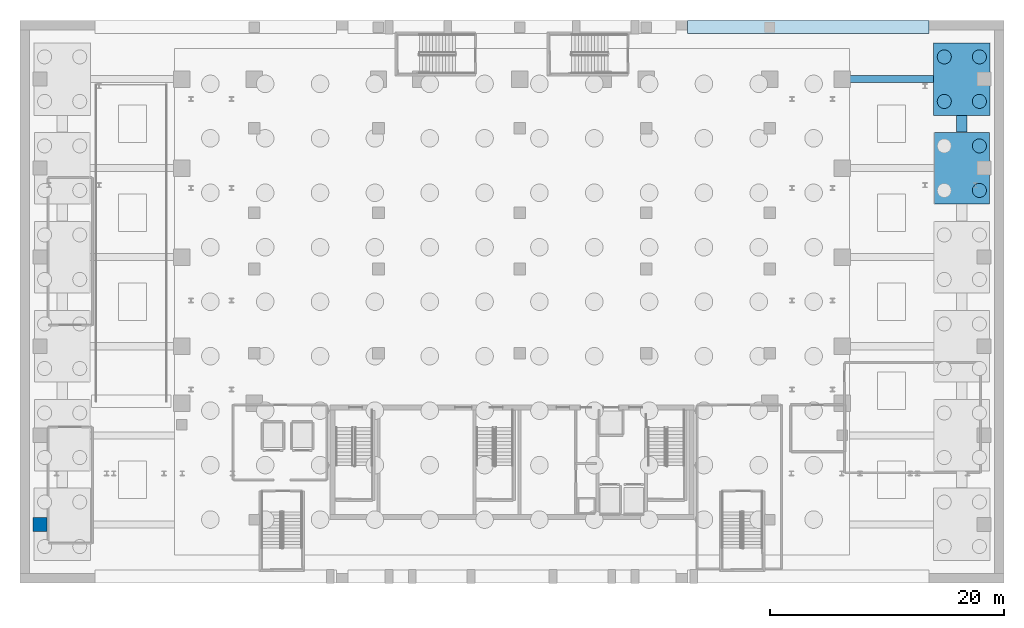
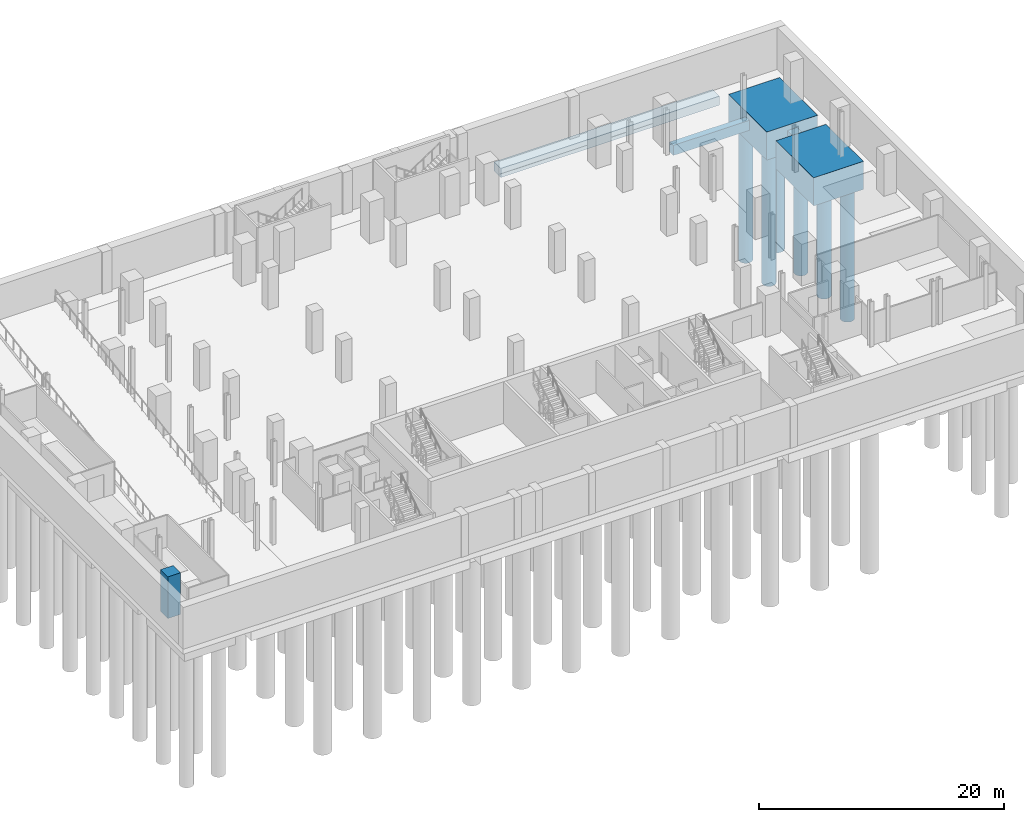
# One storey, part 2 of 18: 6 piles, 5 footings, 1 column.
"""IFC4 building model written with IfcOpenShell, lengths in metres."""

from ifc_helpers import new_model, si_unit, direction, frame, origin, origin_2d, place, context, subcontext, project, spatial, rectangle, circle, extrude, material, material_profile, profile_set, type_object, element, save


model = new_model("IFC4")

# Units and contexts
model_context = context("Model", 3, precision=1e-05, world=origin(), true_north=direction((0.0, 1.0)))
body_context = subcontext(model_context, "Body", "Model", "MODEL_VIEW")
ifc_project = project(units=[si_unit("LENGTHUNIT", "METRE"), si_unit("AREAUNIT", "SQUARE_METRE"), si_unit("VOLUMEUNIT", "CUBIC_METRE"), si_unit("PLANEANGLEUNIT", "RADIAN"), si_unit("MASSUNIT", "GRAM", prefix="KILO")], contexts=[model_context])

# Site, building, storey
site_placement = place(None, origin())
site = spatial("IfcSite", under=ifc_project, at=site_placement, CompositionType="ELEMENT")
building_placement = place(site_placement, origin())
building = spatial("IfcBuilding", under=site, at=building_placement, Name="Ndaravel Arena Tower", CompositionType="ELEMENT")
storey_placement = place(building_placement, frame((0.0, 0.0, -9.0)))
storey = spatial("IfcBuildingStorey", under=building, at=storey_placement, Name="B02", CompositionType="ELEMENT", Elevation=-9.0)

# Footings
ifc_material_1 = material(Name="Concrete C40/50", Category="concrete")
ifc_material_profile_1 = material_profile(ifc_material_1, rectangle(XDim=0.89990234375, YDim=1.199951171875, at=origin_2d()), Name="RC 900x1200")
ifc_profile_set_1 = profile_set([ifc_material_profile_1], Name="Concrete C40/50")
footing_type_1 = type_object("IfcFootingType", Name="FTG-GB1", PredefinedType="FOOTING_BEAM", material=ifc_profile_set_1)
footing_1_placement = place(storey_placement, frame((80.39990234375, 38.469970703125, -1.1201171875), z_axis=(0.0, 1.0, 0.0), x_axis=(-1.0, 0.0, 0.0)))
element("IfcFooting", 1, at=footing_1_placement, inside=storey, type_object=footing_type_1, Name="Ground Tie Beam 16", PredefinedType="FOOTING_BEAM", context=body_context, shape_type="SweptSolid", body=[
    extrude(rectangle(XDim=0.89990234375, YDim=1.199951171875, at=origin_2d()), origin(), (0.0, 0.0, 1.0), 1.409912109375),
])
ifc_material_2 = material(Name="Concrete C40/50", Category="concrete")
ifc_material_profile_2 = material_profile(ifc_material_2, rectangle(XDim=0.60009765625, YDim=1.0, at=origin_2d()), Name="RC 600x1000")
ifc_profile_set_2 = profile_set([ifc_material_profile_2], Name="Concrete C40/50")
footing_type_2 = type_object("IfcFootingType", Name="FTG-GB2", PredefinedType="FOOTING_BEAM", material=ifc_profile_set_2)
footing_2_placement = place(storey_placement, frame((70.820068359375, 43.0, -1.02001953125), z_axis=(1.0, 0.0, 0.0), x_axis=(0.0, 1.0, 0.0)))
element("IfcFooting", 2, at=footing_2_placement, inside=storey, type_object=footing_type_2, Name="Ground Tie Beam 22", PredefinedType="FOOTING_BEAM", context=body_context, shape_type="SweptSolid", body=[
    extrude(rectangle(XDim=0.60009765625, YDim=1.0, at=origin_2d()), origin(), (0.0, 0.0, 1.0), 7.159912109375),
])
ifc_material_3 = material(Name="Concrete C40/50", Category="concrete")
footing_type_3 = type_object("IfcFootingType", Name="FTG-PC1", PredefinedType="PILE_CAP", material=ifc_material_3)
footing_3_placement = place(storey_placement, frame((80.39990234375, 43.0, -2.7998046875), z_axis=(0.0, 0.0, 1.0), x_axis=(1.0, 0.0, 0.0)))
element("IfcFooting", 3, at=footing_3_placement, inside=storey, type_object=footing_type_3, Name="Pile Cap PCAP-E06", PredefinedType="PILE_CAP", context=body_context, shape_type="SweptSolid", body=[
    extrude(rectangle(XDim=4.800048828125, YDim=6.199951171875, at=origin_2d()), origin(), (0.0, 0.0, 1.0), 2.800048828125),
])
ifc_material_4 = material(Name="Concrete C40/50", Category="concrete")
footing_type_4 = type_object("IfcFootingType", Name="FTG-PC2", PredefinedType="PILE_CAP", material=ifc_material_4)
footing_4_placement = place(storey_placement, frame((80.39990234375, 35.39990234375, -2.7998046875), z_axis=(0.0, 0.0, 1.0), x_axis=(1.0, 0.0, 0.0)))
element("IfcFooting", 4, at=footing_4_placement, inside=storey, type_object=footing_type_4, Name="Pile Cap PCAP-E05", PredefinedType="PILE_CAP", context=body_context, shape_type="SweptSolid", body=[
    extrude(rectangle(XDim=4.699951171875, YDim=6.10009765625, at=origin_2d()), origin(), (0.0, 0.0, 1.0), 2.800048828125),
])
ifc_material_5 = material(Name="Concrete C40/50", Category="concrete")
ifc_material_profile_3 = material_profile(ifc_material_5, rectangle(XDim=1.10009765625, YDim=0.89990234375, at=origin_2d()), Name="RC 1100x900")
ifc_profile_set_3 = profile_set([ifc_material_profile_3], Name="Concrete C40/50")
footing_type_5 = type_object("IfcFootingType", Name="FTG-SF1", PredefinedType="STRIP_FOOTING", material=ifc_profile_set_3)
footing_5_placement = place(storey_placement, frame((57.0, 47.449951171875, -0.969970703125), z_axis=(1.0, 0.0, 0.0), x_axis=(0.0, 1.0, 0.0)))
element("IfcFooting", 5, at=footing_5_placement, inside=storey, type_object=footing_type_5, Name="Perimeter Strip Footing 06", PredefinedType="STRIP_FOOTING", context=body_context, shape_type="SweptSolid", body=[
    extrude(rectangle(XDim=1.10009765625, YDim=0.89990234375, at=origin_2d()), origin(), (0.0, 0.0, 1.0), 20.60009765625),
])

# Piles
ifc_material_6 = material(Name="Concrete C40/50", Category="concrete")
ifc_material_profile_4 = material_profile(ifc_material_6, circle(Radius=0.60009765625, at=origin_2d()), Name="BORED PILE D1200")
ifc_profile_set_4 = profile_set([ifc_material_profile_4], Name="Concrete C40/50")
pile_type = type_object("IfcPileType", Name="PILE-P2-D1200", PredefinedType="BORED", material=ifc_profile_set_4)
for number, where, z_axis, x_axis, name in (
    (6, (81.89990234375, 33.5, -2.64990234375), (0.0, 0.0, -1.0), (1.0, 0.0, 0.0), "Bored Pile PILE-P2-043"),
    (7, (81.89990234375, 37.300048828125, -2.64990234375), (0.0, 0.0, -1.0), (1.0, 0.0, 0.0), "Bored Pile PILE-P2-044"),
    (8, (78.89990234375, 41.10009765625, -2.64990234375), (0.0, 0.0, -1.0), (1.0, 0.0, 0.0), "Bored Pile PILE-P2-045"),
    (9, (78.89990234375, 44.89990234375, -2.64990234375), (0.0, 0.0, -1.0), (1.0, 0.0, 0.0), "Bored Pile PILE-P2-046"),
    (10, (81.89990234375, 41.10009765625, -2.64990234375), (0.0, 0.0, -1.0), (1.0, 0.0, 0.0), "Bored Pile PILE-P2-047"),
    (11, (81.89990234375, 44.89990234375, -2.64990234375), (0.0, 0.0, -1.0), (1.0, 0.0, 0.0), "Bored Pile PILE-P2-048"),
):
    element("IfcPile", number, at=place(storey_placement, frame(where, z_axis=z_axis, x_axis=x_axis)), inside=storey, type_object=pile_type, Name=name, PredefinedType="BORED", context=body_context, shape_type="SweptSolid", body=[
        extrude(circle(Radius=0.60009765625, at=origin_2d()), origin(), (0.0, 0.0, 1.0), 13.35009765625),
    ])

# Column
ifc_material_7 = material(Name="Concrete C60/75", Category="concrete")
ifc_material_profile_5 = material_profile(ifc_material_7, rectangle(XDim=1.199951171875, YDim=1.199951171875, at=origin_2d()), Name="RC 1200x1200")
ifc_profile_set_5 = profile_set([ifc_material_profile_5], Name="Concrete C60/75")
column_type = type_object("IfcColumnType", Name="COL-MEGA-RC1200", PredefinedType="COLUMN", material=ifc_profile_set_5)
column_placement = place(storey_placement, frame((1.699951171875, 5.0, 0.0), z_axis=(0.0, 0.0, 1.0), x_axis=(1.0, 0.0, 0.0)))
element("IfcColumn", 12, at=column_placement, inside=storey, type_object=column_type, Name="B02 Perimeter Mega Column 01", PredefinedType="COLUMN", context=body_context, shape_type="SweptSolid", body=[
    extrude(rectangle(XDim=1.199951171875, YDim=1.199951171875, at=origin_2d()), origin(), (0.0, 0.0, 1.0), 4.14990234375),
])

save(model, "model.ifc")
